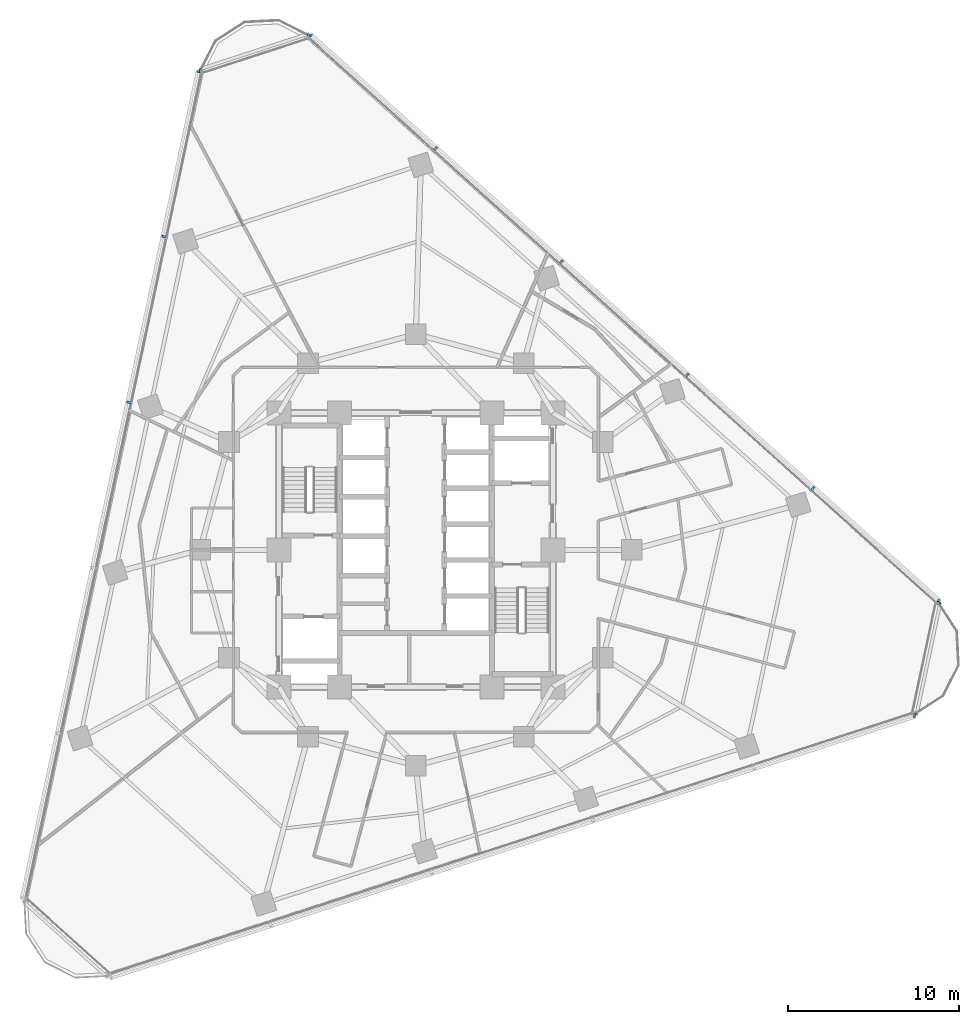
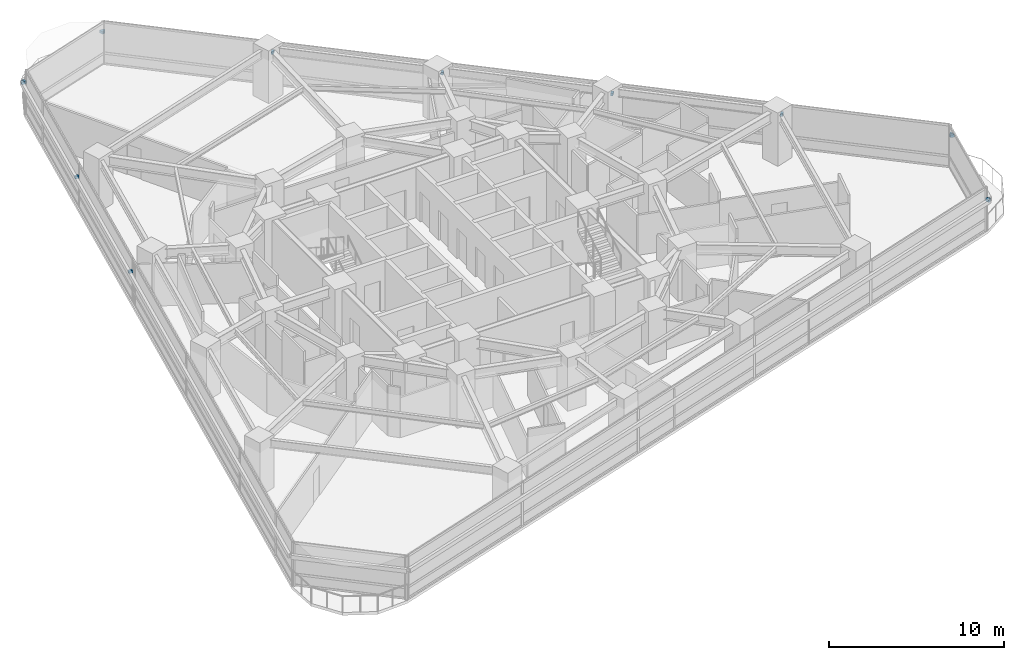
# One storey, part 10 of 13: 14 discrete accessories.
"""IFC4 building model written with IfcOpenShell, lengths in metres."""

import ifcopenshell
import ifcopenshell.guid

model = None  # the IFC model being written
_history = None  # IfcOwnerHistory: only IFC2X3 demands one
_inside = {}  # id of a spatial element -> (the spatial element, [elements in it])
_under = {}  # id of a project, library or spatial element -> (it, [spatial elements below it])
_declared = {}  # id of a project -> (the project, [libraries it declares])
_typed = {}  # id of a type object -> (the type object, [elements of that type])
_made_of = {}  # id of a material, layer set ... -> (it, [elements and type objects made of it])


def new_model(schema):
    """Start an empty IFC model of exactly this schema.

    Asked for "IFC4X3", IfcOpenShell would pick the latest addendum, in which some entities
    have other attributes; the version numbers below select the first issue.
    IFC2X3 requires an IfcOwnerHistory on every rooted entity: one is made here for all.
    """
    global model, _history
    if schema == "IFC4X3":
        model = ifcopenshell.file(schema_version=(4, 3, 0, 0))
    else:
        model = ifcopenshell.file(schema=schema)
    _inside.clear()
    _under.clear()
    _declared.clear()
    _typed.clear()
    _made_of.clear()
    _history = None
    if model.schema == "IFC2X3":
        org = make("IfcOrganization", Name="unknown")
        user = make(
            "IfcPersonAndOrganization",
            ThePerson=make("IfcPerson", FamilyName="unknown"),
            TheOrganization=org,
        )
        app = make(
            "IfcApplication",
            ApplicationDeveloper=org,
            Version="unknown",
            ApplicationFullName="unknown",
            ApplicationIdentifier="unknown",
        )
        _history = make(
            "IfcOwnerHistory",
            OwningUser=user,
            OwningApplication=app,
            ChangeAction="ADDED",
            CreationDate=0,
        )
    return model


def make(cls, **values):
    """One entity of the class cls with the attributes given. An attribute that is None is left unset."""
    return model.create_entity(
        cls, **{name: value for name, value in values.items() if value is not None}
    )


def rooted(cls, **values):
    """An entity with a GlobalId (a new one), such as an element, a storey or a relation."""
    return make(cls, GlobalId=ifcopenshell.guid.new(), OwnerHistory=_history, **values)


def si_unit(unit_type, name, prefix=None):
    """IfcSIUnit, for example si_unit("LENGTHUNIT", "METRE", prefix="MILLI")."""
    return make("IfcSIUnit", UnitType=unit_type, Prefix=prefix, Name=name)


def assignment(units):
    """IfcUnitAssignment: the units of a project."""
    return None if units is None else make("IfcUnitAssignment", Units=units)


def point(xyz):
    """IfcCartesianPoint."""
    return None if xyz is None else make("IfcCartesianPoint", Coordinates=xyz)


def direction(xyz):
    """IfcDirection."""
    return None if xyz is None else make("IfcDirection", DirectionRatios=xyz)


def frame(location, z_axis=None, x_axis=None):
    """IfcAxis2Placement3D, a coordinate frame: its origin and axes. An axis left out is left unset."""
    return make(
        "IfcAxis2Placement3D",
        Location=point(location),
        Axis=direction(z_axis),
        RefDirection=direction(x_axis),
    )


def frame_2d(location, x_axis=None):
    """IfcAxis2Placement2D, a coordinate frame in the plane: its origin and x axis."""
    return make(
        "IfcAxis2Placement2D", Location=point(location), RefDirection=direction(x_axis)
    )


def origin():
    """The frame at (0, 0, 0) with its axes left unset."""
    return frame((0.0, 0.0, 0.0))


def origin_2d():
    """The frame at (0, 0) in the plane with its x axis left unset."""
    return frame_2d((0.0, 0.0))


def place(relative_to, where):
    """IfcLocalPlacement: puts the frame where relative to a parent placement (None: the world)."""
    return make(
        "IfcLocalPlacement", PlacementRelTo=relative_to, RelativePlacement=where
    )


def context(
    kind, dimensions, precision=None, world=None, true_north=None, identifier=None
):
    """IfcGeometricRepresentationContext, for example the 3D "Model" context."""
    return make(
        "IfcGeometricRepresentationContext",
        ContextIdentifier=identifier,
        ContextType=kind,
        CoordinateSpaceDimension=dimensions,
        Precision=precision,
        WorldCoordinateSystem=world,
        TrueNorth=true_north,
    )


def subcontext(parent, identifier, kind, view, scale=None):
    """IfcGeometricRepresentationSubContext, for example "Body" below "Model"."""
    return make(
        "IfcGeometricRepresentationSubContext",
        ContextIdentifier=identifier,
        ContextType=kind,
        ParentContext=parent,
        TargetScale=scale,
        TargetView=view,
    )


def project(units=None, contexts=None):
    """IfcProject with its units and contexts."""
    return rooted(
        "IfcProject",
        Name="project",
        RepresentationContexts=contexts,
        UnitsInContext=assignment(units),
    )


def spatial(cls, under=None, at=None, **own):
    """A site, building, storey or space (cls), placed at a placement, below another one or the project."""
    s = rooted(cls, ObjectPlacement=at, **own)
    if under is not None:
        _under.setdefault(under.id(), (under, []))[1].append(s)
    return s


def profile(cls, at=None, kind="AREA", **sizes):
    """A parametric profile (cls). Its sizes go by their IFC names, for example OverallWidth=200.0."""
    return make(cls, ProfileType=kind, Position=at, **sizes)


def rectangle(**sizes):
    """IfcRectangleProfileDef."""
    return profile("IfcRectangleProfileDef", **sizes)


def extrude(swept, where, along, depth):
    """IfcExtrudedAreaSolid: the profile swept, set in the frame where, extruded along a direction by depth."""
    return make(
        "IfcExtrudedAreaSolid",
        SweptArea=swept,
        Position=where,
        ExtrudedDirection=direction(along),
        Depth=depth,
    )


def shape(context_of_items, identifier, shape_type, items):
    """IfcShapeRepresentation: the items that make up one representation, for example the "Body"."""
    return make(
        "IfcShapeRepresentation",
        ContextOfItems=context_of_items,
        RepresentationIdentifier=identifier,
        RepresentationType=shape_type,
        Items=items,
    )


def material(Name=None, Category=None):
    """IfcMaterial."""
    return make("IfcMaterial", Name=Name, Category=Category)


def made_of(thing, what):
    """Note that an element or type object is made of a material, layer set ...; save() writes the relation."""
    if what is not None:
        _made_of.setdefault(what.id(), (what, []))[1].append(thing)
    return thing


def type_object(cls, material=None, **own):
    """A type object (cls), such as IfcWallType, which elements share."""
    return made_of(rooted(cls, **own), material)


def element(
    cls,
    number,
    at=None,
    inside=None,
    cuts=None,
    type_object=None,
    material=None,
    context=None,
    identifier="Body",
    shape_type=None,
    held_by="IfcProductDefinitionShape",
    body=None,
    shapes=None,
    **own,
):
    """One element of the class cls, such as IfcWall. Its Tag is "e" and its number.

    at: its placement. inside: the storey or other place that contains it. cuts: it is an
    opening in that element (IfcRelVoidsElement). A single representation is given by context,
    identifier, shape_type and body (its items); several are given by shapes. held_by: the class
    of the entity that holds the representations. save() writes the other relations.
    """
    e = rooted(cls, Tag="e%d" % number, ObjectPlacement=at, **own)
    if body is not None:
        shapes = [shape(context, identifier, shape_type, body)]
    if shapes is not None:
        e.Representation = make(held_by, Representations=shapes)
    if inside is not None:
        _inside.setdefault(inside.id(), (inside, []))[1].append(e)
    if cuts is not None:
        rooted(
            "IfcRelVoidsElement", RelatingBuildingElement=cuts, RelatedOpeningElement=e
        )
    if type_object is not None:
        _typed.setdefault(type_object.id(), (type_object, []))[1].append(e)
    return made_of(e, material)


def aggregate(whole, parts):
    """IfcRelAggregates: a whole, such as a stair, and the parts it consists of."""
    return rooted("IfcRelAggregates", RelatingObject=whole, RelatedObjects=parts)


def save(model, path):
    """Write the relations noted so far, then the file.

    IfcRelAggregates (storeys below a building ...), IfcRelContainedInSpatialStructure (elements
    in a storey), IfcRelDefinesByType, IfcRelAssociatesMaterial and IfcRelDeclares: one each for
    every whole, place, type object, material and project.
    """
    for whole, parts in _under.values():
        aggregate(whole, parts)
    for where, things in _inside.values():
        rooted(
            "IfcRelContainedInSpatialStructure",
            RelatedElements=things,
            RelatingStructure=where,
        )
    for kind, things in _typed.values():
        rooted("IfcRelDefinesByType", RelatedObjects=things, RelatingType=kind)
    for what, things in _made_of.values():
        rooted("IfcRelAssociatesMaterial", RelatedObjects=things, RelatingMaterial=what)
    for by, libraries in _declared.values():
        rooted("IfcRelDeclares", RelatingContext=by, RelatedDefinitions=libraries)
    model.write(path)


model = new_model("IFC4")

# Units and contexts
model_context = context("Model", 3, precision=1e-05, world=origin(), true_north=direction((0.0, 1.0)))
body_context = subcontext(model_context, "Body", "Model", "MODEL_VIEW")
ifc_project = project(units=[si_unit("LENGTHUNIT", "METRE"), si_unit("AREAUNIT", "SQUARE_METRE"), si_unit("VOLUMEUNIT", "CUBIC_METRE"), si_unit("PLANEANGLEUNIT", "RADIAN"), si_unit("MASSUNIT", "GRAM", prefix="KILO")], contexts=[model_context])

# Site, building, storey
site_placement = place(None, origin())
site = spatial("IfcSite", under=ifc_project, at=site_placement, CompositionType="ELEMENT")
building_placement = place(site_placement, origin())
building = spatial("IfcBuilding", under=site, at=building_placement, Name="Terralouvre Media Tower", CompositionType="ELEMENT")
storey_placement = place(building_placement, frame((0.0, 0.0, 101.39990234375)))
storey = spatial("IfcBuildingStorey", under=building, at=storey_placement, Name="L25", CompositionType="ELEMENT", Elevation=101.39990234375)

# Discrete accessories
ifc_material = material(Name="Anodised extruded aluminium 6063-T6", Category="aluminium")
discrete_accessory_type = type_object("IfcDiscreteAccessoryType", Name="Mullion Stand-Off Baguette Fixing Bracket BK-01", PredefinedType="BRACKET", material=ifc_material)
for number, where, z_axis, x_axis, name in (
    (1, (29.09619140625, -9.67431640625, 2.07421875), (0.0, 0.0, 1.0), (0.951056509451, 0.309017015439, 0.0), "CW-L25-F0 Baguette Outrigger Bracket 1.06"),
    (2, (30.515625, -2.996337890625, 2.07421875), (0.0, 0.0, 1.0), (-0.743144795545, 0.669130639602, 0.0), "CW-L25-F1 Baguette Outrigger Bracket 1.01"),
    (3, (23.1953125, 3.5947265625, 2.07421875), (0.0, 0.0, 1.0), (-0.743144795545, 0.669130639602, 0.0), "CW-L25-F1 Baguette Outrigger Bracket 1.02"),
    (4, (15.846923828125, 10.211181640625, 2.07421875), (0.0, 0.0, 1.0), (-0.743144795545, 0.669130639602, 0.0), "CW-L25-F1 Baguette Outrigger Bracket 1.03"),
    (5, (8.498779296875, 16.82763671875, 2.07421875), (0.0, 0.0, 1.0), (-0.743144795545, 0.669130639602, 0.0), "CW-L25-F1 Baguette Outrigger Bracket 1.04"),
    (6, (1.150634765625, 23.44384765625, 2.07421875), (0.0, 0.0, 1.0), (-0.743144795545, 0.669130639602, 0.0), "CW-L25-F1 Baguette Outrigger Bracket 1.05"),
    (7, (-6.169677734375, 30.03515625, 2.07421875), (0.0, 0.0, 1.0), (-0.743144795545, 0.669130639602, 0.0), "CW-L25-F1 Baguette Outrigger Bracket 1.06"),
    (8, (-12.662841796875, 27.925537109375, 2.07421875), (0.0, 0.0, 1.0), (-0.207911643887, -0.978147610709, 0.0), "CW-L25-F2 Baguette Outrigger Bracket 1.01"),
    (9, (-14.710693359375, 18.290283203125, 2.07421875), (0.0, 0.0, 1.0), (-0.207911643887, -0.978147610709, 0.0), "CW-L25-F2 Baguette Outrigger Bracket 1.02"),
    (10, (-16.7666015625, 8.618408203125, 2.07421875), (0.0, 0.0, 1.0), (-0.207911643887, -0.978147610709, 0.0), "CW-L25-F2 Baguette Outrigger Bracket 1.03"),
    (11, (29.146728515625, -9.59228515625, 2.07421875), (0.0, 0.0, 1.0), (0.207911611348, 0.978147617626, 0.0), "CW-L25-C1 Baguette Outrigger Bracket 1.01"),
    (12, (30.5283203125, -3.092041015625, 2.07421875), (0.0, 0.0, 1.0), (0.207911611348, 0.978147617626, 0.0), "CW-L25-C1 Baguette Outrigger Bracket 1.02"),
    (13, (-6.266357421875, 30.0380859375, 2.07421875), (0.0, 0.0, 1.0), (-0.951056286408, -0.309017701894, 0.0), "CW-L25-C2 Baguette Outrigger Bracket 1.01"),
    (14, (-12.58642578125, 27.984375, 2.07421875), (0.0, 0.0, 1.0), (-0.951056286408, -0.309017701894, 0.0), "CW-L25-C2 Baguette Outrigger Bracket 1.02"),
):
    element("IfcDiscreteAccessory", number, at=place(storey_placement, frame(where, z_axis=z_axis, x_axis=x_axis)), inside=storey, type_object=discrete_accessory_type, Name=name, PredefinedType="BRACKET", context=body_context, shape_type="SweptSolid", body=[
        extrude(rectangle(XDim=0.139892578125, YDim=0.239990234375, at=origin_2d()), origin(), (0.0, 0.0, 1.0), 0.179931640625),
    ])

save(model, "model.ifc")
